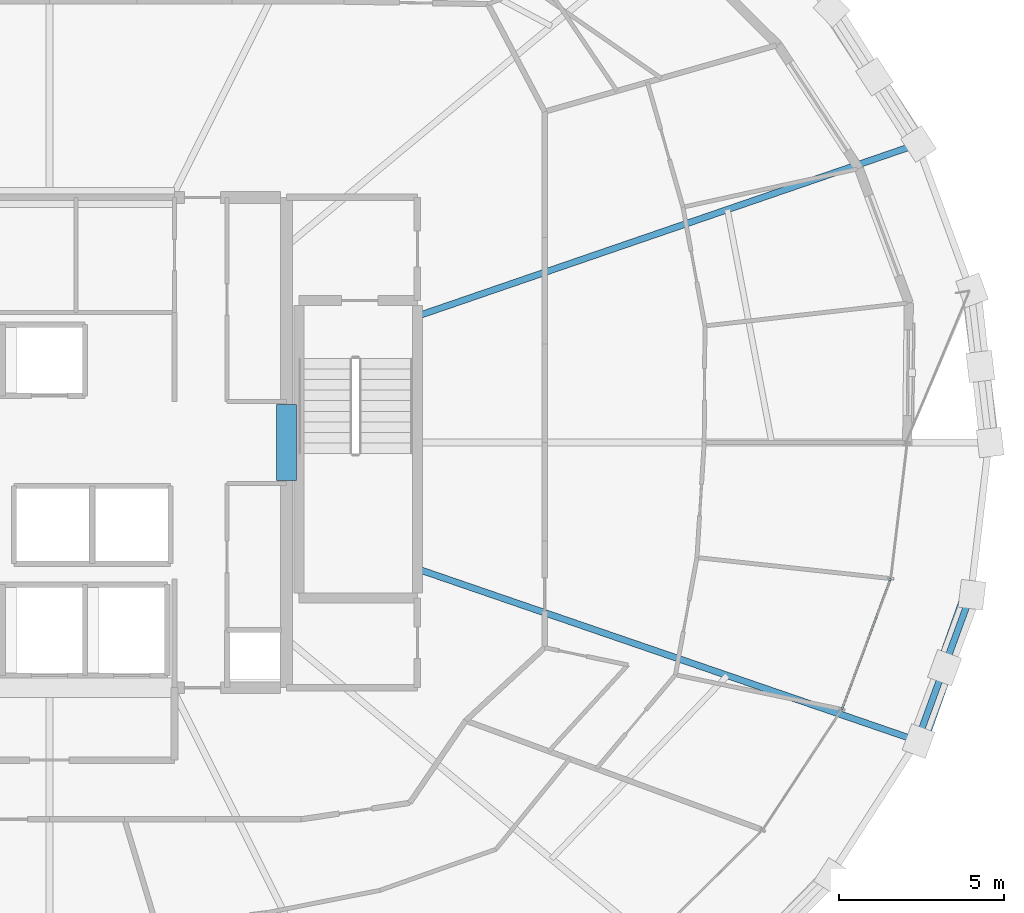
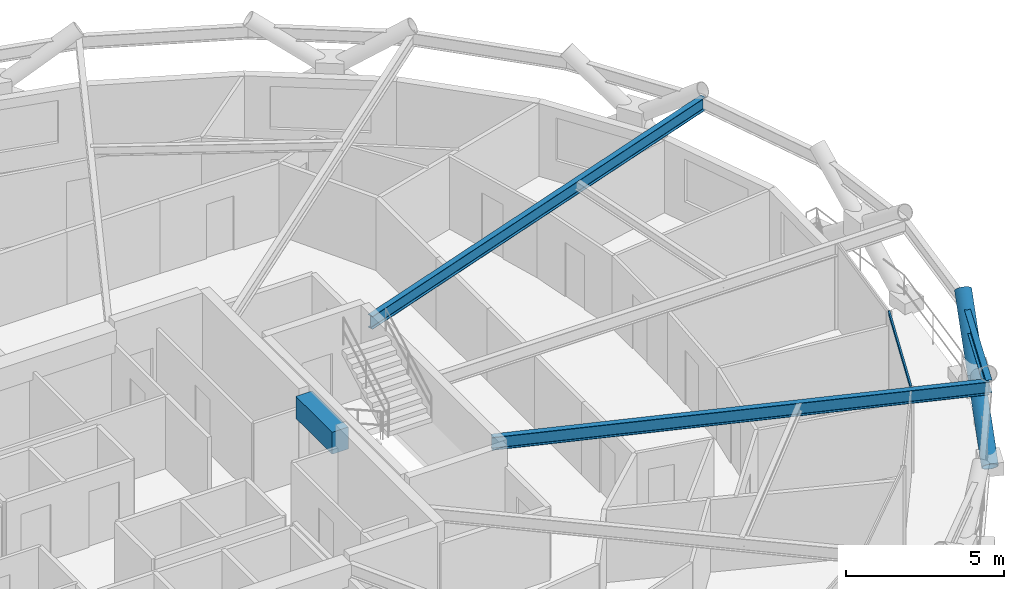
# One storey, part 8 of 21: 4 beams, 2 members, 1 element without a shape of its own.
"""IFC4 building model written with IfcOpenShell, lengths in metres."""

from ifc_helpers import new_model, si_unit, direction, frame, origin, origin_2d, place, context, subcontext, project, spatial, rectangle, hollow_rectangle, hollow_circle, i_section, extrude, material, layer, layer_set, material_profile, profile_set, type_object, element, aggregate, save


model = new_model("IFC4")

# Units and contexts
model_context = context("Model", 3, precision=1e-05, world=origin(), true_north=direction((0.0, 1.0)))
body_context = subcontext(model_context, "Body", "Model", "MODEL_VIEW")
ifc_project = project(units=[si_unit("LENGTHUNIT", "METRE"), si_unit("AREAUNIT", "SQUARE_METRE"), si_unit("VOLUMEUNIT", "CUBIC_METRE"), si_unit("PLANEANGLEUNIT", "RADIAN"), si_unit("MASSUNIT", "GRAM", prefix="KILO")], contexts=[model_context])

# Site, building, storey
site_placement = place(None, origin())
site = spatial("IfcSite", under=ifc_project, at=site_placement, CompositionType="ELEMENT")
building_placement = place(site_placement, origin())
building = spatial("IfcBuilding", under=site, at=building_placement, Name="Veldorina Hangang Commons", CompositionType="ELEMENT")
storey_placement = place(building_placement, frame((0.0, 0.0, 128.0)))
storey = spatial("IfcBuildingStorey", under=building, at=storey_placement, Name="L32", CompositionType="ELEMENT", Elevation=128.0)

# Beams
ifc_material_1 = material(Name="Concrete C60/75", Category="concrete")
ifc_material_profile_1 = material_profile(ifc_material_1, rectangle(XDim=0.60009765625, YDim=0.85009765625, at=origin_2d()), Name="RC-CB-600x850")
ifc_profile_set_1 = profile_set([ifc_material_profile_1], Name="Concrete C60/75")
beam_type_1 = type_object("IfcBeamType", Name="BM-CB850", PredefinedType="LINTEL", material=ifc_profile_set_1)
beam_1_placement = place(storey_placement, frame((39.199951171875, 22.85009765625, 2.925048828125), z_axis=(0.0, 1.0, 0.0), x_axis=(-1.0, 0.0, 0.0)))
element("IfcBeam", 1, at=beam_1_placement, inside=storey, type_object=beam_type_1, Name="L32 E core coupling lintel beam", PredefinedType="LINTEL", context=body_context, shape_type="SweptSolid", body=[
    extrude(rectangle(XDim=0.60009765625, YDim=0.85009765625, at=origin_2d()), origin(), (0.0, 0.0, 1.0), 2.2998046875),
])
ifc_material_2 = material(Name="Steel SM420-TMC", Category="steel")
ifc_material_profile_2 = material_profile(ifc_material_2, i_section(OverallWidth=0.199951171875, OverallDepth=0.5, WebThickness=0.010009765625, FlangeThickness=0.01611328125, FilletRadius=0.01611328125, at=origin_2d()), Name="H-500x200x10x16")
ifc_profile_set_2 = profile_set([ifc_material_profile_2], Name="Steel SM420-TMC")
beam_type_2 = type_object("IfcBeamType", Name="BM-FG500", PredefinedType="BEAM", material=ifc_profile_set_2)
for number, where, z_axis, x_axis, name in (
    (2, (43.179931640625, 27.841796875, 3.10009765625), (0.945721042054, 0.32497955415, 0.0), (-0.32497955415, 0.945721042054, 0.0), "L32 radial floor girder 02"),
    (3, (43.179931640625, 20.158203125, 3.10009765625), (0.945721042054, -0.32497955415, 0.0), (0.32497955415, 0.945721042054, 0.0), "L32 radial floor girder 16"),
):
    element("IfcBeam", number, at=place(storey_placement, frame(where, z_axis=z_axis, x_axis=x_axis)), inside=storey, type_object=beam_type_2, Name=name, PredefinedType="BEAM", context=body_context, shape_type="SweptSolid", body=[
        extrude(i_section(OverallWidth=0.199951171875, OverallDepth=0.5, WebThickness=0.010009765625, FlangeThickness=0.01611328125, FilletRadius=0.01611328125, at=origin_2d()), origin(), (0.0, 0.0, 1.0), 16.068359375),
    ])
ifc_material_profile_3 = material_profile(ifc_material_2, i_section(OverallWidth=0.199951171875, OverallDepth=0.5, WebThickness=0.010009765625, FlangeThickness=0.01611328125, FilletRadius=0.01611328125, at=origin_2d()), Name="H-500x200x10x16")
ifc_profile_set_3 = profile_set([ifc_material_profile_3], Name="Steel SM420-TMC")
beam_type_3 = type_object("IfcBeamType", Name="BM-RB500", PredefinedType="BEAM", material=ifc_profile_set_3)
beam_2_placement = place(storey_placement, frame((58.376220703125, 14.936279296875, 3.10009765625), z_axis=(0.343437214821, 0.939175638247, 0.0), x_axis=(-0.939175638247, 0.343437214821, 0.0)))
element("IfcBeam", 4, at=beam_2_placement, inside=storey, type_object=beam_type_3, Name="L32 perimeter hoop ring beam 30", PredefinedType="BEAM", context=body_context, shape_type="SweptSolid", body=[
    extrude(i_section(OverallWidth=0.199951171875, OverallDepth=0.5, WebThickness=0.010009765625, FlangeThickness=0.01611328125, FilletRadius=0.01611328125, at=origin_2d()), origin(), (0.0, 0.0, 1.0), 4.73095703125),
])

# Curtain wall, member
ifc_material_3 = material(Name="Glass Low-E Triple IGU", Category="glass")
ifc_layer = layer(ifc_material_3, 0.179931640625)
ifc_layer_set = layer_set([ifc_layer], Name="Glass Low-E Triple IGU")
curtain_wall_type = type_object("IfcCurtainWallType", Name="CW-SYS-Z2", PredefinedType="NOTDEFINED", material=ifc_layer_set)
curtain_wall_placement = place(storey_placement, origin())
curtain_wall = element("IfcCurtainWall", 5, at=curtain_wall_placement, inside=storey, type_object=curtain_wall_type, Name="L32 unitised curtain wall CW-L32-R2", PredefinedType="NOTDEFINED")
ifc_material_4 = material(Name="Aluminium Anodized AA6063-T6", Category="aluminium")
ifc_material_profile_4 = material_profile(ifc_material_4, hollow_rectangle(XDim=0.06005859375, YDim=0.139892578125, WallThickness=0.00341796875, at=origin_2d()), Name="ALU-RHS-140x60x3.5")
ifc_profile_set_4 = profile_set([ifc_material_profile_4], Name="Aluminium Anodized AA6063-T6")
member_type_1 = type_object("IfcMemberType", Name="CW-TRN-140", PredefinedType="USERDEFINED", material=ifc_profile_set_4)
member_1_placement = place(storey_placement, frame((56.081298828125, 15.89111328125, 3.27001953125), z_axis=(0.349622181981, 0.936890777982, 0.0), x_axis=(-0.936890777982, 0.349622181981, 0.0)))
member_1 = element("IfcMember", 6, at=member_1_placement, type_object=member_type_1, Name="CW-L32-R2 facet 4 transom 1", ObjectType="TRANSOM", PredefinedType="USERDEFINED", context=body_context, shape_type="SweptSolid", body=[
    extrude(hollow_rectangle(XDim=0.06005859375, YDim=0.139892578125, WallThickness=0.00341796875, at=origin_2d()), origin(), (0.0, 0.0, 1.0), 4.242919921875),
])
aggregate(curtain_wall, [member_1])

# Member
ifc_material_profile_5 = material_profile(ifc_material_2, hollow_circle(Radius=0.27490234375, WallThickness=0.028076171875, at=origin_2d()), Name="CHS-550x28")
ifc_profile_set_5 = profile_set([ifc_material_profile_5], Name="Steel SM420-TMC")
member_type_2 = type_object("IfcMemberType", Name="DG-CHS550", PredefinedType="BRACE", material=ifc_profile_set_5)
member_2_placement = place(storey_placement, frame((58.40966796875, 14.926513671875, 0.0), z_axis=(0.266814533513, 0.749496569193, 0.605858809852), x_axis=(-0.942084933013, 0.335374386306, 0.0)))
element("IfcMember", 7, at=member_2_placement, inside=storey, type_object=member_type_2, Name="L32 continuous perimeter diagrid brace 30", PredefinedType="BRACE", context=body_context, shape_type="SweptSolid", body=[
    extrude(hollow_circle(Radius=0.27490234375, WallThickness=0.028076171875, at=origin_2d()), origin(), (0.0, 0.0, 1.0), 5.942138671875),
])

save(model, "model.ifc")
